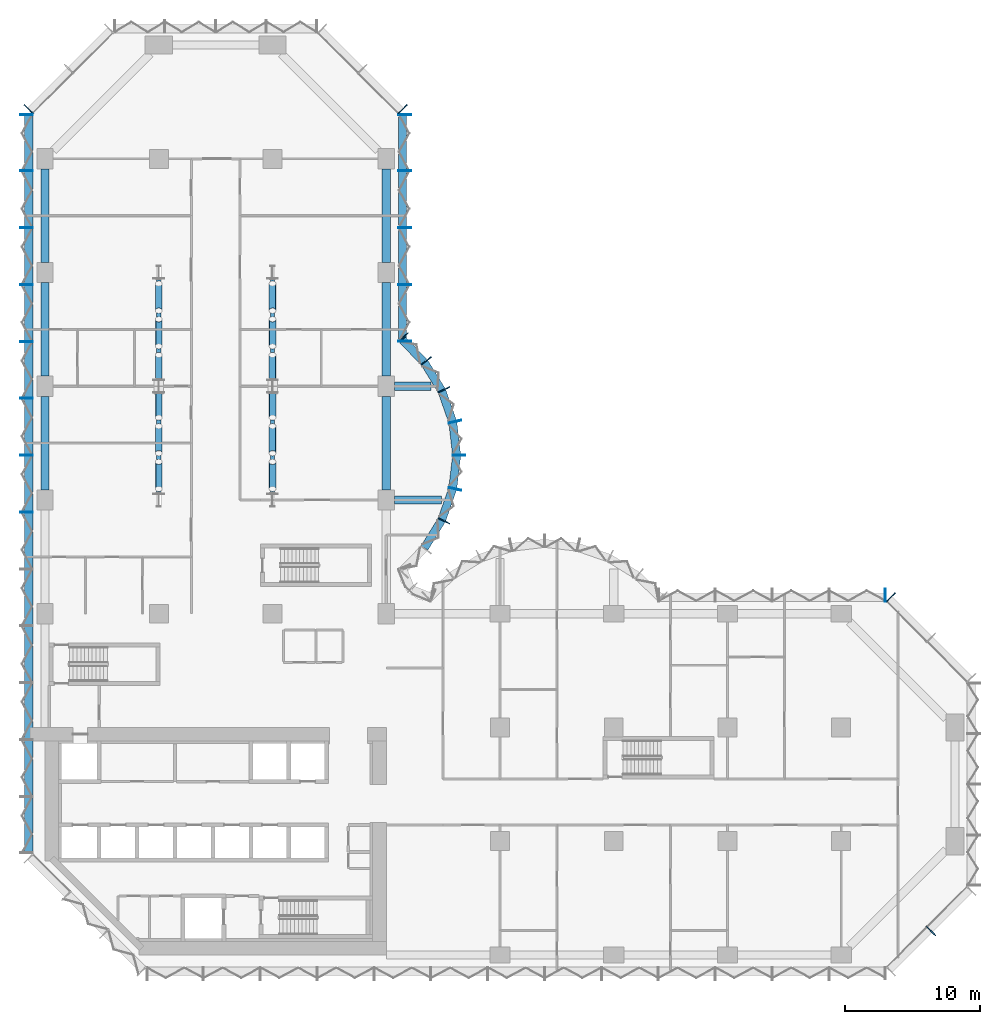
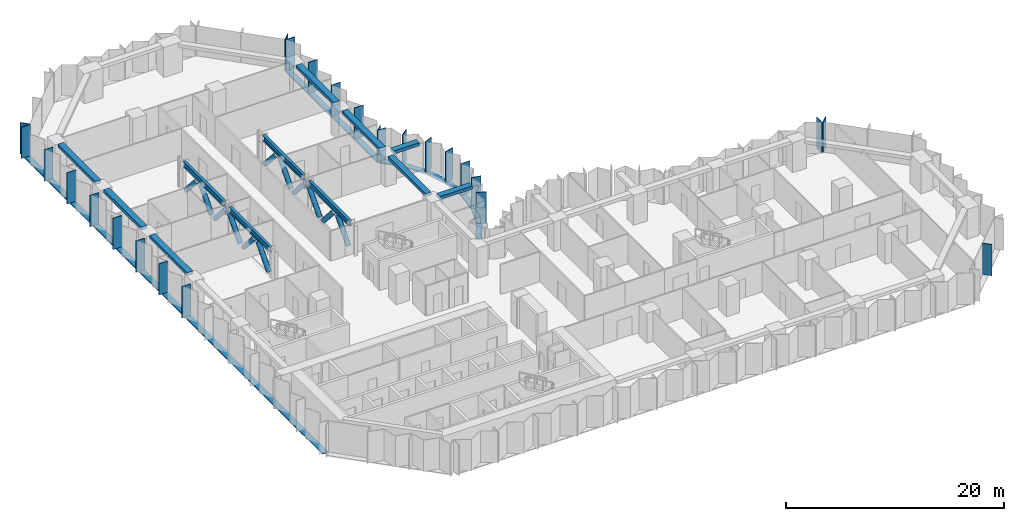
# One storey, part 4 of 18: 50 members, 8 beams, 8 elements without a shape of their own.
"""IFC4 building model written with IfcOpenShell, lengths in metres."""

from ifc_helpers import new_model, si_unit, direction, frame, origin, origin_2d, place, context, subcontext, project, spatial, rectangle, hollow_circle, i_section, extrude, material, material_profile, profile_set, type_object, element, aggregate, save


model = new_model("IFC4")

# Units and contexts
model_context = context("Model", 3, precision=1e-05, world=origin(), true_north=direction((0.0, 1.0)))
body_context = subcontext(model_context, "Body", "Model", "MODEL_VIEW")
ifc_project = project(units=[si_unit("LENGTHUNIT", "METRE"), si_unit("AREAUNIT", "SQUARE_METRE"), si_unit("VOLUMEUNIT", "CUBIC_METRE"), si_unit("PLANEANGLEUNIT", "RADIAN"), si_unit("MASSUNIT", "GRAM", prefix="KILO")], contexts=[model_context])

# Site, building, storey
site_placement = place(None, origin())
site = spatial("IfcSite", under=ifc_project, at=site_placement, CompositionType="ELEMENT")
building_placement = place(site_placement, origin())
building = spatial("IfcBuilding", under=site, at=building_placement, Name="Brevane Broadcast Tower", CompositionType="ELEMENT")
storey_placement = place(building_placement, frame((0.0, 0.0, 40.10009765625)))
storey = spatial("IfcBuildingStorey", under=building, at=storey_placement, Name="L07", CompositionType="ELEMENT", Elevation=40.10009765625)

# Curtain wall, member
ifc_material_1 = material(Name="Aluminium 6063-T6 bronze anodised", Category="aluminium")
curtain_wall_type = type_object("IfcCurtainWallType", Name="CW-1 curtain wall", PredefinedType="NOTDEFINED", material=ifc_material_1)
curtain_wall_1_placement = place(storey_placement, origin())
curtain_wall_1 = element("IfcCurtainWall", 1, at=curtain_wall_1_placement, inside=storey, type_object=curtain_wall_type, Name="CW-1 typical tilted unit L07 south-east chamfer", PredefinedType="NOTDEFINED")
ifc_material_profile_1 = material_profile(ifc_material_1, rectangle(XDim=0.949951171875, YDim=0.070068359375, at=origin_2d()), Name="RECT 70x950")
ifc_profile_set_1 = profile_set([ifc_material_profile_1], Name="Aluminium 6063-T6 bronze anodised")
member_type_1 = type_object("IfcMemberType", Name="CW-1 mullion 70x950", PredefinedType="MULLION", material=ifc_profile_set_1)
member_1_placement = place(storey_placement, frame((65.435791015625, 1.76416015625, -0.150146484375), z_axis=(0.0, 0.0, 1.0), x_axis=(-0.707106781187, 0.707106781187, 0.0)))
member_1 = element("IfcMember", 2, at=member_1_placement, type_object=member_type_1, Name="CW-1 mullion", PredefinedType="MULLION", context=body_context, shape_type="SweptSolid", body=[
    extrude(rectangle(XDim=0.949951171875, YDim=0.070068359375, at=origin_2d()), origin(), (0.0, 0.0, 1.0), 3.5),
])
aggregate(curtain_wall_1, [member_1])

curtain_wall_2_placement = place(storey_placement, origin())
curtain_wall_2 = element("IfcCurtainWall", 3, at=curtain_wall_2_placement, inside=storey, type_object=curtain_wall_type, Name="CW-1 typical tilted unit L07 north-east chamfer", PredefinedType="NOTDEFINED")
member_2_placement = place(storey_placement, frame((62.460693359375, 26.4111328125, -0.150146484375), z_axis=(0.0, 0.0, 1.0), x_axis=(-0.707106781187, -0.707106781187, 0.0)))
member_2 = element("IfcMember", 4, at=member_2_placement, type_object=member_type_1, Name="CW-1 mullion", PredefinedType="MULLION", context=body_context, shape_type="SweptSolid", body=[
    extrude(rectangle(XDim=0.949951171875, YDim=0.070068359375, at=origin_2d()), origin(), (0.0, 0.0, 1.0), 3.5),
])
aggregate(curtain_wall_2, [member_2])

curtain_wall_3_placement = place(storey_placement, origin())
curtain_wall_3 = element("IfcCurtainWall", 5, at=curtain_wall_3_placement, inside=storey, type_object=curtain_wall_type, Name="CW-1 typical tilted unit L07 east arm north face", PredefinedType="NOTDEFINED")
member_3_placement = place(storey_placement, frame((62.06494140625, 26.574951171875, -0.150146484375), z_axis=(0.0, 0.0, 1.0), x_axis=(0.0, -1.0, 0.0)))
member_3 = element("IfcMember", 6, at=member_3_placement, type_object=member_type_1, Name="CW-1 mullion", PredefinedType="MULLION", context=body_context, shape_type="SweptSolid", body=[
    extrude(rectangle(XDim=0.949951171875, YDim=0.070068359375, at=origin_2d()), origin(), (0.0, 0.0, 1.0), 3.5),
])
aggregate(curtain_wall_3, [member_3])

# Curtain wall, members
curtain_wall_4_placement = place(storey_placement, origin())
curtain_wall_4 = element("IfcCurtainWall", 7, at=curtain_wall_4_placement, inside=storey, type_object=curtain_wall_type, Name="CW-1 typical tilted unit L07 north bow", PredefinedType="NOTDEFINED")
member_4_placement = place(storey_placement, frame((29.4580078125, 32.05322265625, -0.150146484375), z_axis=(0.0, 0.0, 1.0), x_axis=(-0.902860508933, 0.429933601163, 0.0)))
member_4 = element("IfcMember", 8, at=member_4_placement, type_object=member_type_1, Name="CW-1 mullion", PredefinedType="MULLION", context=body_context, shape_type="SweptSolid", body=[
    extrude(rectangle(XDim=0.949951171875, YDim=0.070068359375, at=origin_2d()), origin(), (0.0, 0.0, 1.0), 3.5),
])
member_5_placement = place(storey_placement, frame((30.28076171875, 34.411865234375, -0.150146484375), z_axis=(0.0, 0.0, 1.0), x_axis=(-0.974403430594, 0.224806482215, 0.0)))
member_5 = element("IfcMember", 9, at=member_5_placement, type_object=member_type_1, Name="CW-1 mullion", PredefinedType="MULLION", context=body_context, shape_type="SweptSolid", body=[
    extrude(rectangle(XDim=0.949951171875, YDim=0.070068359375, at=origin_2d()), origin(), (0.0, 0.0, 1.0), 3.5),
])
member_6_placement = place(storey_placement, frame((30.574951171875, 36.89990234375, -0.150146484375), z_axis=(0.0, 0.0, 1.0), x_axis=(-1.0, 0.0, 0.0)))
member_6 = element("IfcMember", 10, at=member_6_placement, type_object=member_type_1, Name="CW-1 mullion", PredefinedType="MULLION", context=body_context, shape_type="SweptSolid", body=[
    extrude(rectangle(XDim=0.949951171875, YDim=0.070068359375, at=origin_2d()), origin(), (0.0, 0.0, 1.0), 3.5),
])
member_7_placement = place(storey_placement, frame((30.28076171875, 39.38818359375, -0.150146484375), z_axis=(0.0, 0.0, 1.0), x_axis=(-0.974403430594, -0.224806482215, 0.0)))
member_7 = element("IfcMember", 11, at=member_7_placement, type_object=member_type_1, Name="CW-1 mullion", PredefinedType="MULLION", context=body_context, shape_type="SweptSolid", body=[
    extrude(rectangle(XDim=0.949951171875, YDim=0.070068359375, at=origin_2d()), origin(), (0.0, 0.0, 1.0), 3.5),
])
member_8_placement = place(storey_placement, frame((29.4580078125, 41.746826171875, -0.150146484375), z_axis=(0.0, 0.0, 1.0), x_axis=(-0.902860508933, -0.429933601163, 0.0)))
member_8 = element("IfcMember", 12, at=member_8_placement, type_object=member_type_1, Name="CW-1 mullion", PredefinedType="MULLION", context=body_context, shape_type="SweptSolid", body=[
    extrude(rectangle(XDim=0.949951171875, YDim=0.070068359375, at=origin_2d()), origin(), (0.0, 0.0, 1.0), 3.5),
])
member_9_placement = place(storey_placement, frame((28.1455078125, 43.8720703125, -0.150146484375), z_axis=(0.0, 0.0, 1.0), x_axis=(-0.788706642853, -0.614769738617, 0.0)))
member_9 = element("IfcMember", 13, at=member_9_placement, type_object=member_type_1, Name="CW-1 mullion", PredefinedType="MULLION", context=body_context, shape_type="SweptSolid", body=[
    extrude(rectangle(XDim=0.949951171875, YDim=0.070068359375, at=origin_2d()), origin(), (0.0, 0.0, 1.0), 3.5),
])
member_10_placement = place(storey_placement, frame((26.465087890625, 45.60595703125, -0.150146484375), z_axis=(0.0, 0.0, 1.0), x_axis=(-0.717253872699, -0.696811941702, 0.0)))
member_10 = element("IfcMember", 14, at=member_10_placement, type_object=member_type_1, Name="CW-1 mullion", PredefinedType="MULLION", context=body_context, shape_type="SweptSolid", body=[
    extrude(rectangle(XDim=0.949951171875, YDim=0.070068359375, at=origin_2d()), origin(), (0.0, 0.0, 1.0), 3.5),
])

curtain_wall_5_placement = place(storey_placement, origin())
curtain_wall_5 = element("IfcCurtainWall", 15, at=curtain_wall_5_placement, inside=storey, type_object=curtain_wall_type, Name="CW-1 typical tilted unit L07 north arm east face", PredefinedType="NOTDEFINED")
member_11_placement = place(storey_placement, frame((26.574951171875, 45.3349609375, -0.150146484375), z_axis=(0.0, 0.0, 1.0), x_axis=(-1.0, 0.0, 0.0)))
member_11 = element("IfcMember", 16, at=member_11_placement, type_object=member_type_1, Name="CW-1 mullion", PredefinedType="MULLION", context=body_context, shape_type="SweptSolid", body=[
    extrude(rectangle(XDim=0.949951171875, YDim=0.070068359375, at=origin_2d()), origin(), (0.0, 0.0, 1.0), 3.5),
])
member_12_placement = place(storey_placement, frame((26.574951171875, 49.5, -0.150146484375), z_axis=(0.0, 0.0, 1.0), x_axis=(-1.0, 0.0, 0.0)))
member_12 = element("IfcMember", 17, at=member_12_placement, type_object=member_type_1, Name="CW-1 mullion", PredefinedType="MULLION", context=body_context, shape_type="SweptSolid", body=[
    extrude(rectangle(XDim=0.949951171875, YDim=0.070068359375, at=origin_2d()), origin(), (0.0, 0.0, 1.0), 3.5),
])
member_13_placement = place(storey_placement, frame((26.574951171875, 53.699951171875, -0.150146484375), z_axis=(0.0, 0.0, 1.0), x_axis=(-1.0, 0.0, 0.0)))
member_13 = element("IfcMember", 18, at=member_13_placement, type_object=member_type_1, Name="CW-1 mullion", PredefinedType="MULLION", context=body_context, shape_type="SweptSolid", body=[
    extrude(rectangle(XDim=0.949951171875, YDim=0.070068359375, at=origin_2d()), origin(), (0.0, 0.0, 1.0), 3.5),
])
member_14_placement = place(storey_placement, frame((26.574951171875, 57.89990234375, -0.150146484375), z_axis=(0.0, 0.0, 1.0), x_axis=(-1.0, 0.0, 0.0)))
member_14 = element("IfcMember", 19, at=member_14_placement, type_object=member_type_1, Name="CW-1 mullion", PredefinedType="MULLION", context=body_context, shape_type="SweptSolid", body=[
    extrude(rectangle(XDim=0.949951171875, YDim=0.070068359375, at=origin_2d()), origin(), (0.0, 0.0, 1.0), 3.5),
])
member_15_placement = place(storey_placement, frame((26.574951171875, 62.06494140625, -0.150146484375), z_axis=(0.0, 0.0, 1.0), x_axis=(-1.0, 0.0, 0.0)))
member_15 = element("IfcMember", 20, at=member_15_placement, type_object=member_type_1, Name="CW-1 mullion", PredefinedType="MULLION", context=body_context, shape_type="SweptSolid", body=[
    extrude(rectangle(XDim=0.949951171875, YDim=0.070068359375, at=origin_2d()), origin(), (0.0, 0.0, 1.0), 3.5),
])

# Curtain wall, member
curtain_wall_6_placement = place(storey_placement, origin())
curtain_wall_6 = element("IfcCurtainWall", 21, at=curtain_wall_6_placement, inside=storey, type_object=curtain_wall_type, Name="CW-1 typical tilted unit L07 north arm north-east chamfer", PredefinedType="NOTDEFINED")
member_16_placement = place(storey_placement, frame((26.4111328125, 62.460693359375, -0.150146484375), z_axis=(0.0, 0.0, 1.0), x_axis=(-0.707106781187, -0.707106781187, 0.0)))
member_16 = element("IfcMember", 22, at=member_16_placement, type_object=member_type_1, Name="CW-1 mullion", PredefinedType="MULLION", context=body_context, shape_type="SweptSolid", body=[
    extrude(rectangle(XDim=0.949951171875, YDim=0.070068359375, at=origin_2d()), origin(), (0.0, 0.0, 1.0), 3.5),
])
aggregate(curtain_wall_6, [member_16])

curtain_wall_7_placement = place(storey_placement, origin())
curtain_wall_7 = element("IfcCurtainWall", 23, at=curtain_wall_7_placement, inside=storey, type_object=curtain_wall_type, Name="CW-1 typical tilted unit L07 north-west chamfer", PredefinedType="NOTDEFINED")
member_17_placement = place(storey_placement, frame((-1.211181640625, 62.460693359375, -0.150146484375), z_axis=(0.0, 0.0, 1.0), x_axis=(0.707106781187, -0.707106781187, 0.0)))
member_17 = element("IfcMember", 24, at=member_17_placement, type_object=member_type_1, Name="CW-1 mullion", PredefinedType="MULLION", context=body_context, shape_type="SweptSolid", body=[
    extrude(rectangle(XDim=0.949951171875, YDim=0.070068359375, at=origin_2d()), origin(), (0.0, 0.0, 1.0), 3.5),
])
aggregate(curtain_wall_7, [member_17])

# Curtain wall, members
curtain_wall_8_placement = place(storey_placement, origin())
curtain_wall_8 = element("IfcCurtainWall", 25, at=curtain_wall_8_placement, inside=storey, type_object=curtain_wall_type, Name="CW-1 typical tilted unit L07 west face", PredefinedType="NOTDEFINED")
member_18_placement = place(storey_placement, frame((-1.375, 62.06494140625, -0.150146484375), z_axis=(0.0, 0.0, 1.0), x_axis=(1.0, 0.0, 0.0)))
member_18 = element("IfcMember", 26, at=member_18_placement, type_object=member_type_1, Name="CW-1 mullion", PredefinedType="MULLION", context=body_context, shape_type="SweptSolid", body=[
    extrude(rectangle(XDim=0.949951171875, YDim=0.070068359375, at=origin_2d()), origin(), (0.0, 0.0, 1.0), 3.5),
])
member_19_placement = place(storey_placement, frame((-1.375, 57.89990234375, -0.150146484375), z_axis=(0.0, 0.0, 1.0), x_axis=(1.0, 0.0, 0.0)))
member_19 = element("IfcMember", 27, at=member_19_placement, type_object=member_type_1, Name="CW-1 mullion", PredefinedType="MULLION", context=body_context, shape_type="SweptSolid", body=[
    extrude(rectangle(XDim=0.949951171875, YDim=0.070068359375, at=origin_2d()), origin(), (0.0, 0.0, 1.0), 3.5),
])
member_20_placement = place(storey_placement, frame((-1.375, 53.699951171875, -0.150146484375), z_axis=(0.0, 0.0, 1.0), x_axis=(1.0, 0.0, 0.0)))
member_20 = element("IfcMember", 28, at=member_20_placement, type_object=member_type_1, Name="CW-1 mullion", PredefinedType="MULLION", context=body_context, shape_type="SweptSolid", body=[
    extrude(rectangle(XDim=0.949951171875, YDim=0.070068359375, at=origin_2d()), origin(), (0.0, 0.0, 1.0), 3.5),
])
member_21_placement = place(storey_placement, frame((-1.375, 49.5, -0.150146484375), z_axis=(0.0, 0.0, 1.0), x_axis=(1.0, 0.0, 0.0)))
member_21 = element("IfcMember", 29, at=member_21_placement, type_object=member_type_1, Name="CW-1 mullion", PredefinedType="MULLION", context=body_context, shape_type="SweptSolid", body=[
    extrude(rectangle(XDim=0.949951171875, YDim=0.070068359375, at=origin_2d()), origin(), (0.0, 0.0, 1.0), 3.5),
])
member_22_placement = place(storey_placement, frame((-1.375, 45.300048828125, -0.150146484375), z_axis=(0.0, 0.0, 1.0), x_axis=(1.0, 0.0, 0.0)))
member_22 = element("IfcMember", 30, at=member_22_placement, type_object=member_type_1, Name="CW-1 mullion", PredefinedType="MULLION", context=body_context, shape_type="SweptSolid", body=[
    extrude(rectangle(XDim=0.949951171875, YDim=0.070068359375, at=origin_2d()), origin(), (0.0, 0.0, 1.0), 3.5),
])
member_23_placement = place(storey_placement, frame((-1.375, 41.10009765625, -0.150146484375), z_axis=(0.0, 0.0, 1.0), x_axis=(1.0, 0.0, 0.0)))
member_23 = element("IfcMember", 31, at=member_23_placement, type_object=member_type_1, Name="CW-1 mullion", PredefinedType="MULLION", context=body_context, shape_type="SweptSolid", body=[
    extrude(rectangle(XDim=0.949951171875, YDim=0.070068359375, at=origin_2d()), origin(), (0.0, 0.0, 1.0), 3.5),
])
member_24_placement = place(storey_placement, frame((-1.375, 36.89990234375, -0.150146484375), z_axis=(0.0, 0.0, 1.0), x_axis=(1.0, 0.0, 0.0)))
member_24 = element("IfcMember", 32, at=member_24_placement, type_object=member_type_1, Name="CW-1 mullion", PredefinedType="MULLION", context=body_context, shape_type="SweptSolid", body=[
    extrude(rectangle(XDim=0.949951171875, YDim=0.070068359375, at=origin_2d()), origin(), (0.0, 0.0, 1.0), 3.5),
])
member_25_placement = place(storey_placement, frame((-1.375, 32.699951171875, -0.150146484375), z_axis=(0.0, 0.0, 1.0), x_axis=(1.0, 0.0, 0.0)))
member_25 = element("IfcMember", 33, at=member_25_placement, type_object=member_type_1, Name="CW-1 mullion", PredefinedType="MULLION", context=body_context, shape_type="SweptSolid", body=[
    extrude(rectangle(XDim=0.949951171875, YDim=0.070068359375, at=origin_2d()), origin(), (0.0, 0.0, 1.0), 3.5),
])

# Member
ifc_material_profile_2 = material_profile(ifc_material_1, rectangle(XDim=0.60009765625, YDim=0.10009765625, at=origin_2d()), Name="RECT 100x600")
ifc_profile_set_2 = profile_set([ifc_material_profile_2], Name="Aluminium 6063-T6 bronze anodised")
member_type_2 = type_object("IfcMemberType", Name="CW-1 transom 100x600", PredefinedType="USERDEFINED", material=ifc_profile_set_2)
member_26_placement = place(storey_placement, frame((28.023193359375, 30.0576171875, -0.2001953125), z_axis=(0.525427766759, 0.850838211365, 0.0), x_axis=(-0.850838211365, 0.525427766759, 0.0)))
member_26 = element("IfcMember", 34, at=member_26_placement, type_object=member_type_2, Name="CW-1 transom", ObjectType="TRANSOM", PredefinedType="USERDEFINED", context=body_context, shape_type="SweptSolid", body=[
    extrude(rectangle(XDim=0.60009765625, YDim=0.10009765625, at=origin_2d()), origin(), (0.0, 0.0, 1.0), 2.394775390625),
])

member_27_placement = place(storey_placement, frame((29.314208984375, 32.163818359375, -0.2001953125), z_axis=(0.329378497041, 0.944197969542, 0.0), x_axis=(-0.944197969542, 0.329378497041, 0.0)))
member_27 = element("IfcMember", 35, at=member_27_placement, type_object=member_type_2, Name="CW-1 transom", ObjectType="TRANSOM", PredefinedType="USERDEFINED", context=body_context, shape_type="SweptSolid", body=[
    extrude(rectangle(XDim=0.60009765625, YDim=0.10009765625, at=origin_2d()), origin(), (0.0, 0.0, 1.0), 2.394775390625),
])

member_28_placement = place(storey_placement, frame((30.117431640625, 34.499755859375, -0.2001953125), z_axis=(0.117603307202, 0.993060653805, 0.0), x_axis=(-0.993060653805, 0.117603307202, 0.0)))
member_28 = element("IfcMember", 36, at=member_28_placement, type_object=member_type_2, Name="CW-1 transom", ObjectType="TRANSOM", PredefinedType="USERDEFINED", context=body_context, shape_type="SweptSolid", body=[
    extrude(rectangle(XDim=0.60009765625, YDim=0.10009765625, at=origin_2d()), origin(), (0.0, 0.0, 1.0), 2.397705078125),
])

member_29_placement = place(storey_placement, frame((30.3994140625, 36.9189453125, -0.2001953125), z_axis=(-0.117591417, 0.993062061831, 0.0), x_axis=(-0.993062061831, -0.117591417, 0.0)))
member_29 = element("IfcMember", 37, at=member_29_placement, type_object=member_type_2, Name="CW-1 transom", ObjectType="TRANSOM", PredefinedType="USERDEFINED", context=body_context, shape_type="SweptSolid", body=[
    extrude(rectangle(XDim=0.60009765625, YDim=0.10009765625, at=origin_2d()), origin(), (0.0, 0.0, 1.0), 2.39794921875),
])

member_30_placement = place(storey_placement, frame((30.10302734375, 39.375, -0.2001953125), z_axis=(-0.329378497041, 0.944197969542, 0.0), x_axis=(-0.944197969542, -0.329378497041, 0.0)))
member_30 = element("IfcMember", 38, at=member_30_placement, type_object=member_type_2, Name="CW-1 transom", ObjectType="TRANSOM", PredefinedType="USERDEFINED", context=body_context, shape_type="SweptSolid", body=[
    extrude(rectangle(XDim=0.60009765625, YDim=0.10009765625, at=origin_2d()), origin(), (0.0, 0.0, 1.0), 2.394775390625),
])

member_31_placement = place(storey_placement, frame((29.281494140625, 41.704833984375, -0.2001953125), z_axis=(-0.525473345162, 0.850810063131, 0.0), x_axis=(-0.850810063131, -0.525473345162, 0.0)))
member_31 = element("IfcMember", 39, at=member_31_placement, type_object=member_type_2, Name="CW-1 transom", ObjectType="TRANSOM", PredefinedType="USERDEFINED", context=body_context, shape_type="SweptSolid", body=[
    extrude(rectangle(XDim=0.60009765625, YDim=0.10009765625, at=origin_2d()), origin(), (0.0, 0.0, 1.0), 2.39453125),
])

member_32_placement = place(storey_placement, frame((27.974365234375, 43.800537109375, -0.2001953125), z_axis=(-0.696823999134, 0.71724215871, 0.0), x_axis=(-0.71724215871, -0.696823999134, 0.0)))
member_32 = element("IfcMember", 40, at=member_32_placement, type_object=member_type_2, Name="CW-1 transom", ObjectType="TRANSOM", PredefinedType="USERDEFINED", context=body_context, shape_type="SweptSolid", body=[
    extrude(rectangle(XDim=0.60009765625, YDim=0.10009765625, at=origin_2d()), origin(), (0.0, 0.0, 1.0), 2.247802734375),
])

aggregate(curtain_wall_4, [member_4, member_5, member_6, member_7, member_8, member_9, member_10, member_26, member_27, member_28, member_29, member_30, member_31, member_32])

member_33_placement = place(storey_placement, frame((26.39990234375, 45.300048828125, -0.2001953125), z_axis=(0.0, 1.0, 0.0), x_axis=(-1.0, 0.0, 0.0)))
member_33 = element("IfcMember", 41, at=member_33_placement, type_object=member_type_2, Name="CW-1 transom", ObjectType="TRANSOM", PredefinedType="USERDEFINED", context=body_context, shape_type="SweptSolid", body=[
    extrude(rectangle(XDim=0.60009765625, YDim=0.10009765625, at=origin_2d()), origin(), (0.0, 0.0, 1.0), 16.800048828125),
])

aggregate(curtain_wall_5, [member_11, member_12, member_13, member_14, member_15, member_33])

member_34_placement = place(storey_placement, frame((-1.199951171875, 62.10009765625, -0.2001953125), z_axis=(0.0, -1.0, 0.0), x_axis=(1.0, 0.0, 0.0)))
member_34 = element("IfcMember", 42, at=member_34_placement, type_object=member_type_2, Name="CW-1 transom", ObjectType="TRANSOM", PredefinedType="USERDEFINED", context=body_context, shape_type="SweptSolid", body=[
    extrude(rectangle(XDim=0.60009765625, YDim=0.10009765625, at=origin_2d()), origin(), (0.0, 0.0, 1.0), 54.60009765625),
])

aggregate(curtain_wall_8, [member_18, member_19, member_20, member_21, member_22, member_23, member_24, member_25, member_34])

# Beams
ifc_material_2 = material(Name="Concrete C40/50", Category="concrete")
ifc_material_profile_3 = material_profile(ifc_material_2, rectangle(XDim=0.60009765625, YDim=0.35009765625, at=origin_2d()), Name="RC 600x350")
ifc_profile_set_3 = profile_set([ifc_material_profile_3], Name="Concrete C40/50")
beam_type_1 = type_object("IfcBeamType", Name="RC BRACKET BEAM 600x350 C40/50", PredefinedType="BEAM", material=ifc_profile_set_3)
beam_1_placement = place(storey_placement, frame((25.800048828125, 33.60009765625, 3.1748046875), z_axis=(1.0, 0.0, 0.0), x_axis=(0.0, 1.0, 0.0)))
element("IfcBeam", 43, at=beam_1_placement, inside=storey, type_object=beam_type_1, Name="EB2 L07-1", PredefinedType="BEAM", context=body_context, shape_type="SweptSolid", body=[
    extrude(rectangle(XDim=0.60009765625, YDim=0.35009765625, at=origin_2d()), origin(), (0.0, 0.0, 1.0), 3.4619140625),
])
beam_2_placement = place(storey_placement, frame((25.800048828125, 42.0, 3.1748046875), z_axis=(1.0, 0.0, 0.0), x_axis=(0.0, 1.0, 0.0)))
element("IfcBeam", 44, at=beam_2_placement, inside=storey, type_object=beam_type_1, Name="EB2 L07-2", PredefinedType="BEAM", context=body_context, shape_type="SweptSolid", body=[
    extrude(rectangle(XDim=0.60009765625, YDim=0.35009765625, at=origin_2d()), origin(), (0.0, 0.0, 1.0), 2.71142578125),
])
ifc_material_profile_4 = material_profile(ifc_material_2, rectangle(XDim=0.60009765625, YDim=0.35009765625, at=origin_2d()), Name="RC 600x350")
ifc_profile_set_4 = profile_set([ifc_material_profile_4], Name="Concrete C40/50")
beam_type_2 = type_object("IfcBeamType", Name="RC SPANDREL BEAM 600x350 C40/50", PredefinedType="SPANDREL", material=ifc_profile_set_4)
for number, where, z_axis, x_axis, name in (
    (45, (25.199951171875, 34.35009765625, 3.1748046875), (0.0, 1.0, 0.0), (-1.0, 0.0, 0.0), "EB1 L07-13"),
    (46, (25.199951171875, 42.75, 3.1748046875), (0.0, 1.0, 0.0), (-1.0, 0.0, 0.0), "EB1 L07-14"),
):
    element("IfcBeam", number, at=place(storey_placement, frame(where, z_axis=z_axis, x_axis=x_axis)), inside=storey, type_object=beam_type_2, Name=name, PredefinedType="SPANDREL", context=body_context, shape_type="SweptSolid", body=[
        extrude(rectangle(XDim=0.60009765625, YDim=0.35009765625, at=origin_2d()), origin(), (0.0, 0.0, 1.0), 6.89990234375),
    ])
for number, where, z_axis, x_axis, name in (
    (47, (25.199951171875, 51.14990234375, 3.1748046875), (0.0, 1.0, 0.0), (-1.0, 0.0, 0.0), "EB1 L07-15"),
    (48, (0.0, 58.050048828125, 3.1748046875), (0.0, -1.0, 0.0), (1.0, 0.0, 0.0), "EB1 L07-19"),
):
    element("IfcBeam", number, at=place(storey_placement, frame(where, z_axis=z_axis, x_axis=x_axis)), inside=storey, type_object=beam_type_2, Name=name, PredefinedType="SPANDREL", context=body_context, shape_type="SweptSolid", body=[
        extrude(rectangle(XDim=0.60009765625, YDim=0.35009765625, at=origin_2d()), origin(), (0.0, 0.0, 1.0), 6.900146484375),
    ])
for number, where, z_axis, x_axis, name in (
    (49, (0.0, 49.64990234375, 3.1748046875), (0.0, -1.0, 0.0), (1.0, 0.0, 0.0), "EB1 L07-20"),
    (50, (0.0, 41.25, 3.1748046875), (0.0, -1.0, 0.0), (1.0, 0.0, 0.0), "EB1 L07-21"),
):
    element("IfcBeam", number, at=place(storey_placement, frame(where, z_axis=z_axis, x_axis=x_axis)), inside=storey, type_object=beam_type_2, Name=name, PredefinedType="SPANDREL", context=body_context, shape_type="SweptSolid", body=[
        extrude(rectangle(XDim=0.60009765625, YDim=0.35009765625, at=origin_2d()), origin(), (0.0, 0.0, 1.0), 6.89990234375),
    ])

# Members
ifc_material_3 = material(Name="Steel S355", Category="steel")
ifc_material_profile_5 = material_profile(ifc_material_3, i_section(OverallWidth=0.304931640625, OverallDepth=0.6201171875, WebThickness=0.02099609375, FlangeThickness=0.0400390625, FilletRadius=0.027099609375, at=origin_2d()), Name="HE 600 M")
ifc_profile_set_5 = profile_set([ifc_material_profile_5], Name="Steel S355")
member_type_3 = type_object("IfcMemberType", Name="STEEL TRUSS CHORD HE 600 M S355", PredefinedType="CHORD", material=ifc_profile_set_5)
for number, where, z_axis, x_axis, name in (
    (51, (8.39990234375, 34.073974609375, 3.039794921875), (0.0, 1.0, 0.0), (-1.0, 0.0, 0.0), "TC1 1T1"),
    (52, (8.39990234375, 42.47412109375, 3.039794921875), (0.0, 1.0, 0.0), (-1.0, 0.0, 0.0), "TC1 1T2"),
    (53, (16.800048828125, 34.073974609375, 3.039794921875), (0.0, 1.0, 0.0), (-1.0, 0.0, 0.0), "TC1 2T1"),
    (54, (16.800048828125, 42.47412109375, 3.039794921875), (0.0, 1.0, 0.0), (-1.0, 0.0, 0.0), "TC1 2T2"),
):
    element("IfcMember", number, at=place(storey_placement, frame(where, z_axis=z_axis, x_axis=x_axis)), inside=storey, type_object=member_type_3, Name=name, PredefinedType="CHORD", context=body_context, shape_type="SweptSolid", body=[
        extrude(i_section(OverallWidth=0.304931640625, OverallDepth=0.6201171875, WebThickness=0.02099609375, FlangeThickness=0.0400390625, FilletRadius=0.027099609375, at=origin_2d()), origin(), (0.0, 0.0, 1.0), 7.451904296875),
    ])
ifc_material_profile_6 = material_profile(ifc_material_3, hollow_circle(Radius=0.25390625, WallThickness=0.01611328125, at=origin_2d()), Name="CHS 508x16")
ifc_profile_set_6 = profile_set([ifc_material_profile_6], Name="Steel S355")
member_type_4 = type_object("IfcMemberType", Name="STEEL TRUSS DIAGONAL CHS 508x16 S355", PredefinedType="BRACE", material=ifc_profile_set_6)
member_35_placement = place(storey_placement, frame((8.39990234375, 34.425048828125, 0.336669921875), z_axis=(0.0, 0.663913767364, 0.747809139758), x_axis=(-1.0, 0.0, 0.0)))
element("IfcMember", 55, at=member_35_placement, inside=storey, type_object=member_type_4, Name="TD2 1-2-1", PredefinedType="BRACE", context=body_context, shape_type="SweptSolid", body=[
    extrude(hollow_circle(Radius=0.25390625, WallThickness=0.01611328125, at=origin_2d()), origin(), (0.0, 0.0, 1.0), 2.997314453125),
])
member_36_placement = place(storey_placement, frame((8.39990234375, 39.047119140625, 0.336669921875), z_axis=(0.0, -0.663959313033, 0.747768701295), x_axis=(1.0, 0.0, 0.0)))
element("IfcMember", 56, at=member_36_placement, inside=storey, type_object=member_type_4, Name="TD2 1-2-2", PredefinedType="BRACE", context=body_context, shape_type="SweptSolid", body=[
    extrude(hollow_circle(Radius=0.25390625, WallThickness=0.01611328125, at=origin_2d()), origin(), (0.0, 0.0, 1.0), 2.99755859375),
])
for number, where, z_axis, x_axis, name in (
    (57, (8.39990234375, 39.68896484375, 0.336669921875), (0.0, 0.663913767364, 0.747809139758), (-1.0, 0.0, 0.0), "TD2 1-2-3"),
    (58, (8.39990234375, 44.31103515625, 0.336669921875), (0.0, -0.663913767364, 0.747809139758), (1.0, 0.0, 0.0), "TD2 1-2-4"),
):
    element("IfcMember", number, at=place(storey_placement, frame(where, z_axis=z_axis, x_axis=x_axis)), inside=storey, type_object=member_type_4, Name=name, PredefinedType="BRACE", context=body_context, shape_type="SweptSolid", body=[
        extrude(hollow_circle(Radius=0.25390625, WallThickness=0.01611328125, at=origin_2d()), origin(), (0.0, 0.0, 1.0), 2.997314453125),
    ])
member_37_placement = place(storey_placement, frame((8.39990234375, 44.952880859375, 0.336669921875), z_axis=(0.0, 0.663959313033, 0.747768701295), x_axis=(-1.0, 0.0, 0.0)))
element("IfcMember", 59, at=member_37_placement, inside=storey, type_object=member_type_4, Name="TD2 1-2-5", PredefinedType="BRACE", context=body_context, shape_type="SweptSolid", body=[
    extrude(hollow_circle(Radius=0.25390625, WallThickness=0.01611328125, at=origin_2d()), origin(), (0.0, 0.0, 1.0), 2.99755859375),
])
for number, where, z_axis, x_axis, name in (
    (60, (8.39990234375, 49.574951171875, 0.336669921875), (0.0, -0.663913767364, 0.747809139758), (1.0, 0.0, 0.0), "TD2 1-2-6"),
    (61, (16.800048828125, 34.425048828125, 0.336669921875), (0.0, 0.663913767364, 0.747809139758), (-1.0, 0.0, 0.0), "TD2 2-2-1"),
):
    element("IfcMember", number, at=place(storey_placement, frame(where, z_axis=z_axis, x_axis=x_axis)), inside=storey, type_object=member_type_4, Name=name, PredefinedType="BRACE", context=body_context, shape_type="SweptSolid", body=[
        extrude(hollow_circle(Radius=0.25390625, WallThickness=0.01611328125, at=origin_2d()), origin(), (0.0, 0.0, 1.0), 2.997314453125),
    ])
member_38_placement = place(storey_placement, frame((16.800048828125, 39.047119140625, 0.336669921875), z_axis=(0.0, -0.663959313033, 0.747768701295), x_axis=(1.0, 0.0, 0.0)))
element("IfcMember", 62, at=member_38_placement, inside=storey, type_object=member_type_4, Name="TD2 2-2-2", PredefinedType="BRACE", context=body_context, shape_type="SweptSolid", body=[
    extrude(hollow_circle(Radius=0.25390625, WallThickness=0.01611328125, at=origin_2d()), origin(), (0.0, 0.0, 1.0), 2.99755859375),
])
for number, where, z_axis, x_axis, name in (
    (63, (16.800048828125, 39.68896484375, 0.336669921875), (0.0, 0.663913767364, 0.747809139758), (-1.0, 0.0, 0.0), "TD2 2-2-3"),
    (64, (16.800048828125, 44.31103515625, 0.336669921875), (0.0, -0.663913767364, 0.747809139758), (1.0, 0.0, 0.0), "TD2 2-2-4"),
):
    element("IfcMember", number, at=place(storey_placement, frame(where, z_axis=z_axis, x_axis=x_axis)), inside=storey, type_object=member_type_4, Name=name, PredefinedType="BRACE", context=body_context, shape_type="SweptSolid", body=[
        extrude(hollow_circle(Radius=0.25390625, WallThickness=0.01611328125, at=origin_2d()), origin(), (0.0, 0.0, 1.0), 2.997314453125),
    ])
member_39_placement = place(storey_placement, frame((16.800048828125, 44.952880859375, 0.336669921875), z_axis=(0.0, 0.663959313033, 0.747768701295), x_axis=(-1.0, 0.0, 0.0)))
element("IfcMember", 65, at=member_39_placement, inside=storey, type_object=member_type_4, Name="TD2 2-2-5", PredefinedType="BRACE", context=body_context, shape_type="SweptSolid", body=[
    extrude(hollow_circle(Radius=0.25390625, WallThickness=0.01611328125, at=origin_2d()), origin(), (0.0, 0.0, 1.0), 2.99755859375),
])
member_40_placement = place(storey_placement, frame((16.800048828125, 49.574951171875, 0.336669921875), z_axis=(0.0, -0.663913767364, 0.747809139758), x_axis=(1.0, 0.0, 0.0)))
element("IfcMember", 66, at=member_40_placement, inside=storey, type_object=member_type_4, Name="TD2 2-2-6", PredefinedType="BRACE", context=body_context, shape_type="SweptSolid", body=[
    extrude(hollow_circle(Radius=0.25390625, WallThickness=0.01611328125, at=origin_2d()), origin(), (0.0, 0.0, 1.0), 2.997314453125),
])

save(model, "model.ifc")
